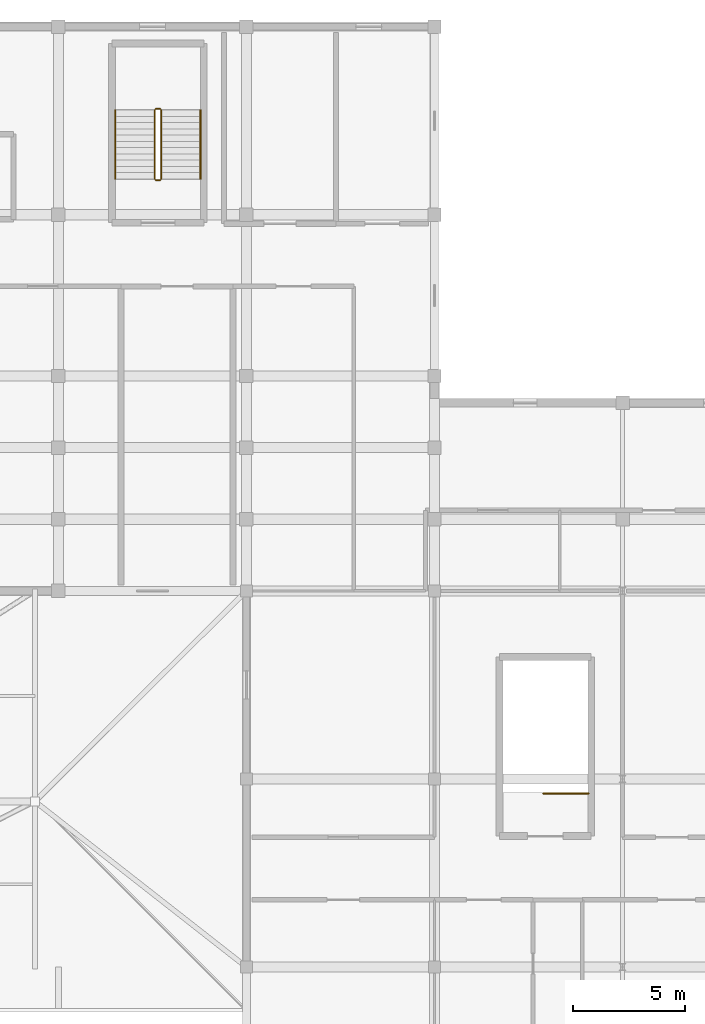
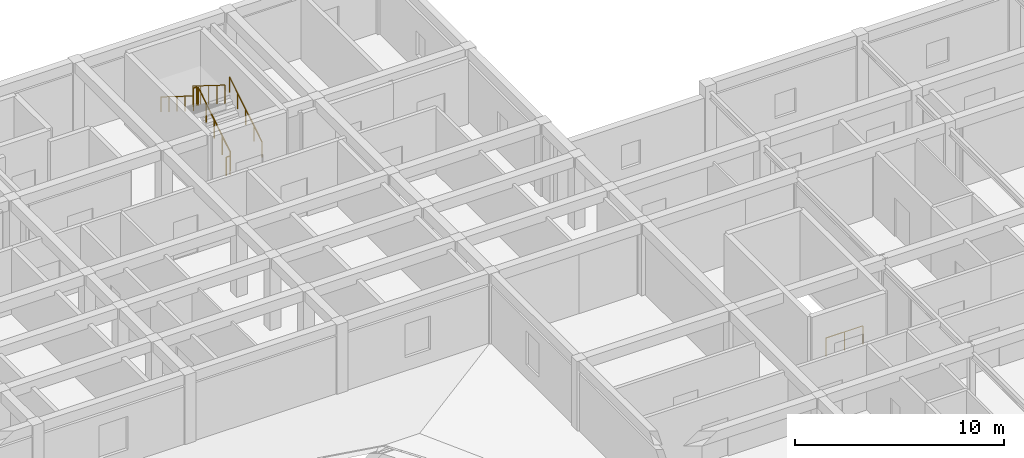
# One storey, part 35 of 42: 7 railings.
"""IFC4 building model written with IfcOpenShell, lengths in metres."""

from ifc_helpers import new_model, si_unit, direction, frame, origin, origin_2d, place, context, subcontext, project, spatial, circle, extrude, material, type_object, element, save


model = new_model("IFC4")

# Units and contexts
model_context = context("Model", 3, precision=1e-05, world=origin(), true_north=direction((0.0, 1.0)))
body_context = subcontext(model_context, "Body", "Model", "MODEL_VIEW")
ifc_project = project(units=[si_unit("LENGTHUNIT", "METRE"), si_unit("AREAUNIT", "SQUARE_METRE"), si_unit("VOLUMEUNIT", "CUBIC_METRE"), si_unit("PLANEANGLEUNIT", "RADIAN"), si_unit("MASSUNIT", "GRAM", prefix="KILO")], contexts=[model_context])

# Site, building, storey
site_placement = place(None, origin())
site = spatial("IfcSite", under=ifc_project, at=site_placement, CompositionType="ELEMENT")
building_placement = place(site_placement, origin())
building = spatial("IfcBuilding", under=site, at=building_placement, Name="Varncliffe General Hospital", CompositionType="ELEMENT")
storey_placement = place(building_placement, frame((0.0, 0.0, 20.39990234375)))
storey = spatial("IfcBuildingStorey", under=building, at=storey_placement, Name="L04", CompositionType="ELEMENT", Elevation=20.39990234375)

# Railings
ifc_material = material(Name="Powder-coated hospital steel guardrail and handrail", Category="steel")
railing_type_1 = type_object("IfcRailingType", Name="Stair and Ramp Handrail HR46", PredefinedType="HANDRAIL", material=ifc_material)
railing_1_placement = place(storey_placement, frame((56.75, 118.0, 0.35400390625)))
element("IfcRailing", 1, at=railing_1_placement, inside=storey, type_object=railing_type_1, Name="L04 ST02 stair handrail 1", PredefinedType="HANDRAIL", context=body_context, shape_type="SweptSolid", body=[
    extrude(circle(Radius=0.02392578125, at=origin_2d()), frame((0.0, 0.0, 0.8759765625), z_axis=(0.0, 0.847998304005, 0.529998940003), x_axis=(-1.0, 0.0, 0.0)), (0.0, 0.0, 1.0), 3.632080078125),
    extrude(circle(Radius=0.02099609375, at=origin_2d()), origin(), (0.0, 0.0, 1.0), 0.851806640625),
    extrude(circle(Radius=0.02099609375, at=origin_2d()), frame((0.0, 0.77001953125, 0.481201171875)), (0.0, 0.0, 1.0), 0.851806640625),
    extrude(circle(Radius=0.02099609375, at=origin_2d()), frame((0.0, 1.5400390625, 0.96240234375)), (0.0, 0.0, 1.0), 0.851806640625),
    extrude(circle(Radius=0.02099609375, at=origin_2d()), frame((0.0, 2.31005859375, 1.44384765625)), (0.0, 0.0, 1.0), 0.851806640625),
    extrude(circle(Radius=0.02099609375, at=origin_2d()), frame((0.0, 3.080078125, 1.925048828125)), (0.0, 0.0, 1.0), 0.851806640625),
])
railing_2_placement = place(storey_placement, frame((52.949951171875, 121.080078125, 2.4541015625)))
element("IfcRailing", 2, at=railing_2_placement, inside=storey, type_object=railing_type_1, Name="L04 ST02 stair handrail 2", PredefinedType="HANDRAIL", context=body_context, shape_type="SweptSolid", body=[
    extrude(circle(Radius=0.02392578125, at=origin_2d()), frame((0.0, 0.0, 0.8759765625), z_axis=(0.0, -0.847998304005, 0.529998940003), x_axis=(1.0, 0.0, 0.0)), (0.0, 0.0, 1.0), 3.632080078125),
    extrude(circle(Radius=0.02099609375, at=origin_2d()), origin(), (0.0, 0.0, 1.0), 0.851806640625),
    extrude(circle(Radius=0.02099609375, at=origin_2d()), frame((0.0, -0.77001953125, 0.481201171875)), (0.0, 0.0, 1.0), 0.851806640625),
    extrude(circle(Radius=0.02099609375, at=origin_2d()), frame((0.0, -1.5400390625, 0.96240234375)), (0.0, 0.0, 1.0), 0.851806640625),
    extrude(circle(Radius=0.02099609375, at=origin_2d()), frame((0.0, -2.31005859375, 1.44384765625)), (0.0, 0.0, 1.0), 0.851806640625),
    extrude(circle(Radius=0.02099609375, at=origin_2d()), frame((0.0, -3.080078125, 1.925048828125)), (0.0, 0.0, 1.0), 0.851806640625),
])
railing_type_2 = type_object("IfcRailingType", Name="Stairwell Guardrail SG49", PredefinedType="GUARDRAIL", material=ifc_material)
railing_3_placement = place(storey_placement, frame((55.0, 118.0, 0.175048828125)))
element("IfcRailing", 3, at=railing_3_placement, inside=storey, type_object=railing_type_2, Name="L04 ST02 stair guard 1", PredefinedType="GUARDRAIL", context=body_context, shape_type="SweptSolid", body=[
    extrude(circle(Radius=0.02392578125, at=origin_2d()), frame((0.0, 0.0, 1.076171875), z_axis=(0.0, 0.847998304005, 0.529998940003), x_axis=(-1.0, 0.0, 0.0)), (0.0, 0.0, 1.0), 3.632080078125),
    extrude(circle(Radius=0.02099609375, at=origin_2d()), origin(), (0.0, 0.0, 1.0), 1.052001953125),
    extrude(circle(Radius=0.02099609375, at=origin_2d()), frame((0.0, 0.77001953125, 0.481201171875)), (0.0, 0.0, 1.0), 1.052001953125),
    extrude(circle(Radius=0.02099609375, at=origin_2d()), frame((0.0, 1.5400390625, 0.96240234375)), (0.0, 0.0, 1.0), 1.052001953125),
    extrude(circle(Radius=0.02099609375, at=origin_2d()), frame((0.0, 2.31005859375, 1.44384765625)), (0.0, 0.0, 1.0), 1.052001953125),
    extrude(circle(Radius=0.02099609375, at=origin_2d()), frame((0.0, 3.080078125, 1.925048828125)), (0.0, 0.0, 1.0), 1.052001953125),
])
railing_4_placement = place(storey_placement, frame((54.949951171875, 121.1298828125, 2.10009765625)))
element("IfcRailing", 4, at=railing_4_placement, inside=storey, type_object=railing_type_2, Name="L04 ST02 stair guard 2", PredefinedType="GUARDRAIL", context=body_context, shape_type="SweptSolid", body=[
    extrude(circle(Radius=0.02392578125, at=origin_2d()), frame((0.0, 0.0, 1.076171875), z_axis=(-1.0, 0.0, 0.0), x_axis=(0.0, -1.0, 0.0)), (0.0, 0.0, 1.0), 0.199951171875),
    extrude(circle(Radius=0.02099609375, at=origin_2d()), origin(), (0.0, 0.0, 1.0), 1.052001953125),
    extrude(circle(Radius=0.02099609375, at=origin_2d()), frame((-0.199951171875, 0.0, 0.0)), (0.0, 0.0, 1.0), 1.052001953125),
])
railing_5_placement = place(storey_placement, frame((54.699951171875, 121.080078125, 2.275146484375)))
element("IfcRailing", 5, at=railing_5_placement, inside=storey, type_object=railing_type_2, Name="L04 ST02 stair guard 3", PredefinedType="GUARDRAIL", context=body_context, shape_type="SweptSolid", body=[
    extrude(circle(Radius=0.02392578125, at=origin_2d()), frame((0.0, 0.0, 1.076171875), z_axis=(0.0, -0.847998304005, 0.529998940003), x_axis=(1.0, 0.0, 0.0)), (0.0, 0.0, 1.0), 3.632080078125),
    extrude(circle(Radius=0.02099609375, at=origin_2d()), origin(), (0.0, 0.0, 1.0), 1.052001953125),
    extrude(circle(Radius=0.02099609375, at=origin_2d()), frame((0.0, -0.77001953125, 0.481201171875)), (0.0, 0.0, 1.0), 1.052001953125),
    extrude(circle(Radius=0.02099609375, at=origin_2d()), frame((0.0, -1.5400390625, 0.96240234375)), (0.0, 0.0, 1.0), 1.052001953125),
    extrude(circle(Radius=0.02099609375, at=origin_2d()), frame((0.0, -2.31005859375, 1.44384765625)), (0.0, 0.0, 1.0), 1.052001953125),
    extrude(circle(Radius=0.02099609375, at=origin_2d()), frame((0.0, -3.080078125, 1.925048828125)), (0.0, 0.0, 1.0), 1.052001953125),
])
railing_6_placement = place(storey_placement, frame((54.949951171875, 117.949951171875, 0.0)))
element("IfcRailing", 6, at=railing_6_placement, inside=storey, type_object=railing_type_2, Name="L04 ST02 stair guard 4", PredefinedType="GUARDRAIL", context=body_context, shape_type="SweptSolid", body=[
    extrude(circle(Radius=0.02392578125, at=origin_2d()), frame((0.0, 0.0, 1.076171875), z_axis=(-1.0, 0.0, 0.0), x_axis=(0.0, -1.0, 0.0)), (0.0, 0.0, 1.0), 0.199951171875),
    extrude(circle(Radius=0.02099609375, at=origin_2d()), origin(), (0.0, 0.0, 1.0), 1.052001953125),
    extrude(circle(Radius=0.02099609375, at=origin_2d()), frame((-0.199951171875, 0.0, 0.0)), (0.0, 0.0, 1.0), 1.052001953125),
])
railing_7_placement = place(storey_placement, frame((74.10009765625, 90.550048828125, 0.0)))
element("IfcRailing", 7, at=railing_7_placement, inside=storey, type_object=railing_type_2, Name="L04 ST12 top well guard 1", PredefinedType="GUARDRAIL", context=body_context, shape_type="SweptSolid", body=[
    extrude(circle(Radius=0.02392578125, at=origin_2d()), frame((0.0, 0.0, 1.076171875), z_axis=(-1.0, 0.0, 0.0), x_axis=(0.0, -1.0, 0.0)), (0.0, 0.0, 1.0), 2.050048828125),
    extrude(circle(Radius=0.02099609375, at=origin_2d()), origin(), (0.0, 0.0, 1.0), 1.052001953125),
    extrude(circle(Radius=0.02099609375, at=origin_2d()), frame((-1.02490234375, 0.0, 0.0)), (0.0, 0.0, 1.0), 1.052001953125),
    extrude(circle(Radius=0.02099609375, at=origin_2d()), frame((-2.050048828125, 0.0, 0.0)), (0.0, 0.0, 1.0), 1.052001953125),
])

save(model, "model.ifc")
